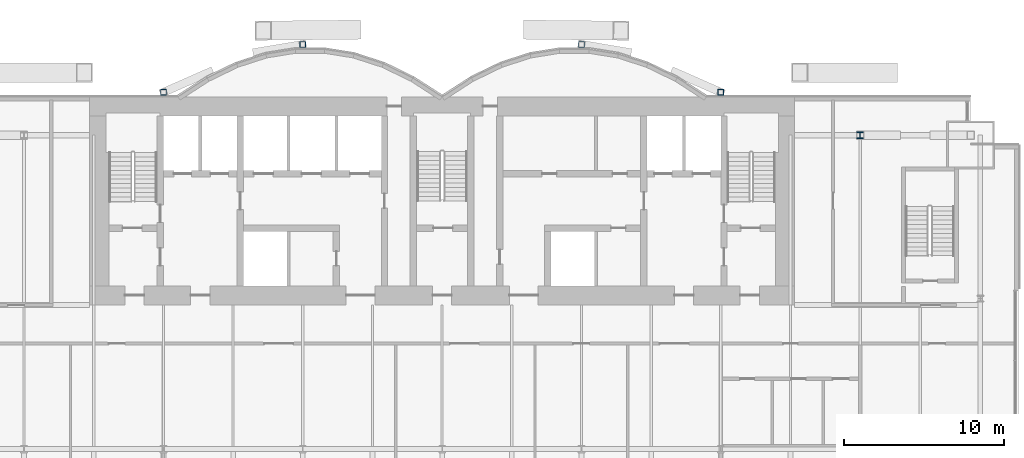
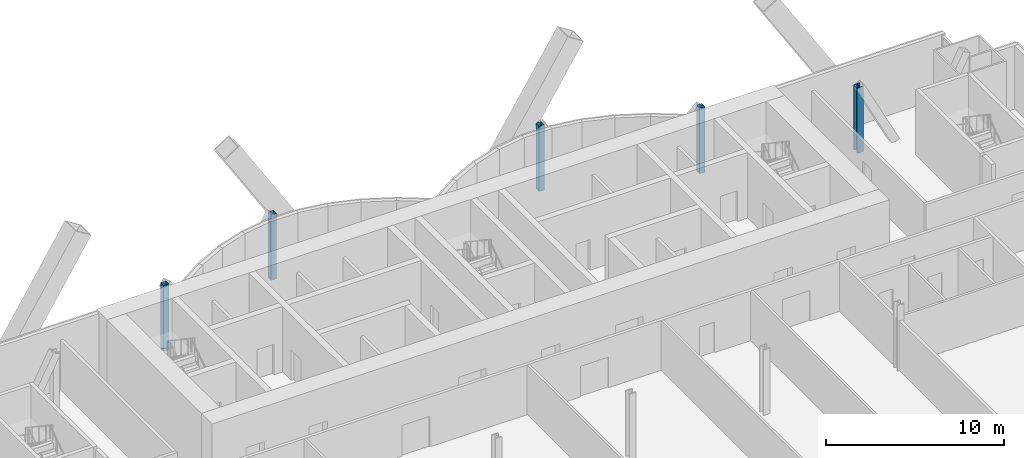
# One storey, part 2 of 23: 5 columns.
"""IFC4 building model written with IfcOpenShell, lengths in metres."""

from ifc_helpers import new_model, si_unit, direction, frame, origin, origin_2d, place, context, subcontext, project, spatial, hollow_rectangle, i_section, extrude, material, material_profile, profile_set, type_object, element, save


model = new_model("IFC4")

# Units and contexts
model_context = context("Model", 3, precision=1e-05, world=origin(), true_north=direction((0.0, 1.0)))
body_context = subcontext(model_context, "Body", "Model", "MODEL_VIEW")
ifc_project = project(units=[si_unit("LENGTHUNIT", "METRE"), si_unit("AREAUNIT", "SQUARE_METRE"), si_unit("VOLUMEUNIT", "CUBIC_METRE"), si_unit("PLANEANGLEUNIT", "RADIAN"), si_unit("MASSUNIT", "GRAM", prefix="KILO")], contexts=[model_context])

# Site, building, storey
site_placement = place(None, origin())
site = spatial("IfcSite", under=ifc_project, at=site_placement, CompositionType="ELEMENT")
building_placement = place(site_placement, origin())
building = spatial("IfcBuilding", under=site, at=building_placement, Name="Bicima Exchange Tower", CompositionType="ELEMENT")
storey_placement = place(building_placement, frame((0.0, 0.0, 44.0)))
storey = spatial("IfcBuildingStorey", under=building, at=storey_placement, Name="L08", CompositionType="ELEMENT", Elevation=44.0)

# Columns
ifc_material_1 = material(Name="Steel ASTM A992 Gr 50", Category="steel")
ifc_material_profile_1 = material_profile(ifc_material_1, i_section(OverallWidth=0.406494140625, OverallDepth=0.41650390625, WebThickness=0.030029296875, FlangeThickness=0.048095703125, at=origin_2d()))
ifc_profile_set_1 = profile_set([ifc_material_profile_1], Name="Steel ASTM A992 Gr 50")
column_type_1 = type_object("IfcColumnType", Name="Perimeter column W14x257", PredefinedType="COLUMN", material=ifc_profile_set_1)
column_placement = place(storey_placement, frame((26.10009765625, -2.39990234375, 0.0), z_axis=(0.0, 0.0, 1.0), x_axis=(1.0, 0.0, 0.0)))
element("IfcColumn", 1, at=column_placement, inside=storey, type_object=column_type_1, Name="Perimeter column grav+26.1r", PredefinedType="COLUMN", context=body_context, shape_type="SweptSolid", body=[
    extrude(i_section(OverallWidth=0.406494140625, OverallDepth=0.41650390625, WebThickness=0.030029296875, FlangeThickness=0.048095703125, at=origin_2d()), origin(), (0.0, 0.0, 1.0), 4.5),
])
ifc_material_2 = material(Name="Steel ASTM A572 Gr 50", Category="steel")
ifc_material_profile_2 = material_profile(ifc_material_2, hollow_rectangle(XDim=0.355712890625, YDim=0.355712890625, WallThickness=0.01171875, at=origin_2d()))
ifc_profile_set_2 = profile_set([ifc_material_profile_2], Name="Steel ASTM A572 Gr 50")
column_type_2 = type_object("IfcColumnType", Name="Rear pilaster HSS14x14x1/2", PredefinedType="COLUMN", material=ifc_profile_set_2)
for number, where, z_axis, x_axis, name in (
    (2, (-8.699951171875, 3.26904296875, 0.0), (0.0, 0.0, 1.0), (1.0, 0.0, 0.0), "Rear pilaster rexo-8.7r"),
    (3, (-17.39990234375, 0.278076171875, 0.0), (0.0, 0.0, 1.0), (1.0, 0.0, 0.0), "Rear pilaster rexo-17.4r"),
    (4, (8.699951171875, 3.26904296875, 0.0), (0.0, 0.0, 1.0), (1.0, 0.0, 0.0), "Rear pilaster rexo+8.7r"),
    (5, (17.39990234375, 0.278076171875, 0.0), (0.0, 0.0, 1.0), (1.0, 0.0, 0.0), "Rear pilaster rexo+17.4r"),
):
    element("IfcColumn", number, at=place(storey_placement, frame(where, z_axis=z_axis, x_axis=x_axis)), inside=storey, type_object=column_type_2, Name=name, PredefinedType="COLUMN", context=body_context, shape_type="SweptSolid", body=[
        extrude(hollow_rectangle(XDim=0.355712890625, YDim=0.355712890625, WallThickness=0.01171875, at=origin_2d()), origin(), (0.0, 0.0, 1.0), 4.5),
    ])

save(model, "model.ifc")
